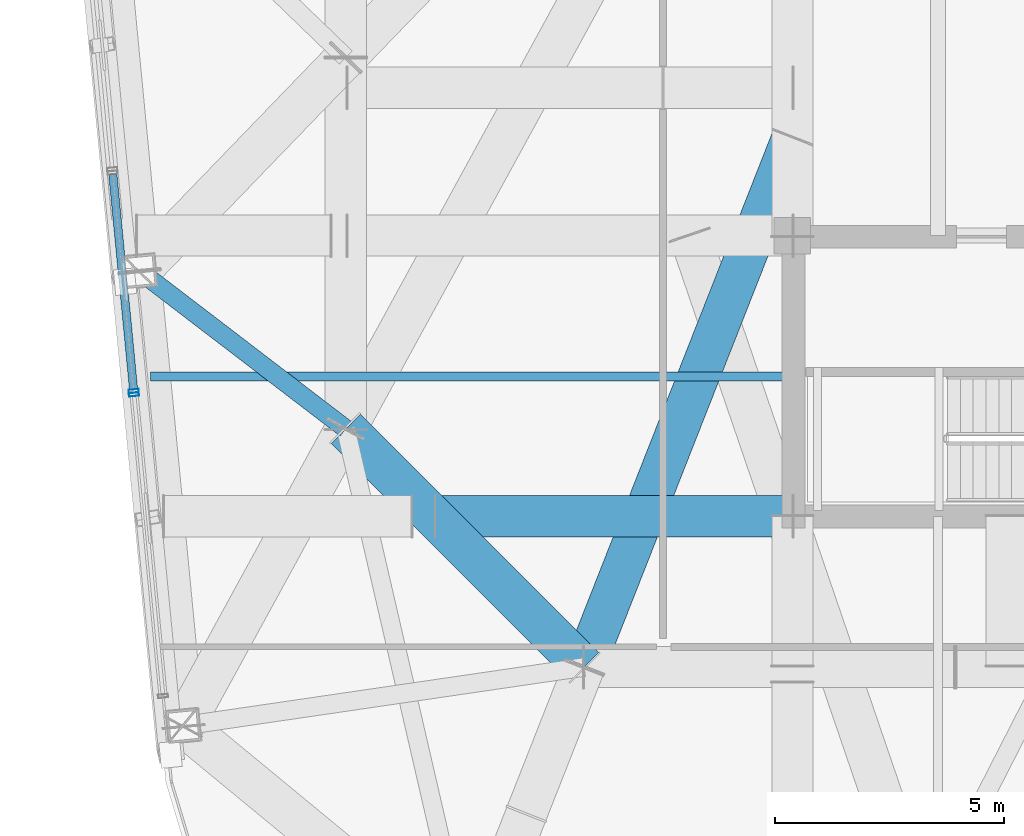
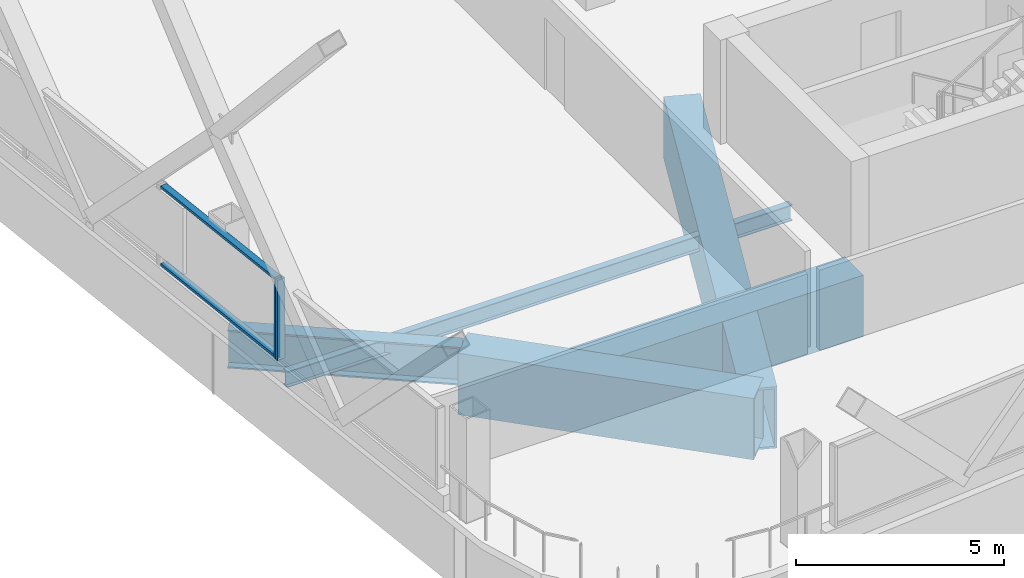
# One storey, part 4 of 37: 5 beams, 4 members, 2 elements without a shape of their own.
"""IFC4 building model written with IfcOpenShell, lengths in metres."""

from ifc_helpers import new_model, si_unit, direction, frame, origin, origin_2d, place, context, subcontext, project, spatial, hollow_rectangle, i_section, extrude, material, layer, layer_set, material_profile, profile_set, type_object, element, aggregate, save


model = new_model("IFC4")

# Units and contexts
model_context = context("Model", 3, precision=1e-05, world=origin(), true_north=direction((0.0, 1.0)))
body_context = subcontext(model_context, "Body", "Model", "MODEL_VIEW")
ifc_project = project(units=[si_unit("LENGTHUNIT", "METRE"), si_unit("AREAUNIT", "SQUARE_METRE"), si_unit("VOLUMEUNIT", "CUBIC_METRE"), si_unit("PLANEANGLEUNIT", "RADIAN"), si_unit("MASSUNIT", "GRAM", prefix="KILO")], contexts=[model_context])

# Site, building, storey
site_placement = place(None, origin())
site = spatial("IfcSite", under=ifc_project, at=site_placement, CompositionType="ELEMENT")
building_placement = place(site_placement, origin())
building = spatial("IfcBuilding", under=site, at=building_placement, Name="Qhalaya Broadcast Tower", CompositionType="ELEMENT")
storey_placement = place(building_placement, frame((0.0, 0.0, 156.14990234375)))
storey = spatial("IfcBuildingStorey", under=building, at=storey_placement, Name="L45", CompositionType="ELEMENT", Elevation=156.14990234375)

# Beams
ifc_material_1 = material(Name="Structural Steel ASTM A572 Grade 50", Category="steel")
ifc_material_profile_1 = material_profile(ifc_material_1, hollow_rectangle(XDim=0.89990234375, YDim=1.800048828125, WallThickness=0.06005859375, at=origin_2d()), Name="BOX 900x1800x60")
ifc_profile_set_1 = profile_set([ifc_material_profile_1], Name="Structural Steel ASTM A572 Grade 50")
beam_type_1 = type_object("IfcBeamType", Name="Block Cantilever Transfer Box Girder TG1", PredefinedType="USERDEFINED", material=ifc_profile_set_1)
beam_1_placement = place(storey_placement, frame((-19.1201171875, -6.840087890625, -1.119873046875), z_axis=(0.707123380132, -0.707090181851, 0.0), x_axis=(0.707090181851, 0.707123380132, 0.0)))
element("IfcBeam", 1, at=beam_1_placement, inside=storey, type_object=beam_type_1, Name="L45 TG1 L45-TGL-16", ObjectType="GIRDER", PredefinedType="USERDEFINED", context=body_context, shape_type="SweptSolid", body=[
    extrude(hollow_rectangle(XDim=0.89990234375, YDim=1.800048828125, WallThickness=0.06005859375, at=origin_2d()), origin(), (0.0, 0.0, 1.0), 7.35400390625),
])
beam_2_placement = place(storey_placement, frame((-17.1533203125, -8.75, -1.119873046875), z_axis=(1.0, 0.0, 0.0), x_axis=(0.0, 1.0, 0.0)))
element("IfcBeam", 2, at=beam_2_placement, inside=storey, type_object=beam_type_1, Name="L45 TG1 L45-TGIY1W-1", ObjectType="GIRDER", PredefinedType="USERDEFINED", context=body_context, shape_type="SweptSolid", body=[
    extrude(hollow_rectangle(XDim=0.89990234375, YDim=1.800048828125, WallThickness=0.06005859375, at=origin_2d()), origin(), (0.0, 0.0, 1.0), 7.7783203125),
])
beam_3_placement = place(storey_placement, frame((-9.375, -0.4921875, -1.119873046875), z_axis=(-0.366229313729, -0.930524631466, 0.0), x_axis=(0.930524631466, -0.366229313729, 0.0)))
element("IfcBeam", 3, at=beam_3_placement, inside=storey, type_object=beam_type_1, Name="L45 Collinear Back-Span Transfer Box Girder 01", ObjectType="GIRDER", PredefinedType="USERDEFINED", context=body_context, shape_type="SweptSolid", body=[
    extrude(hollow_rectangle(XDim=0.89990234375, YDim=1.800048828125, WallThickness=0.06005859375, at=origin_2d()), origin(), (0.0, 0.0, 1.0), 12.41015625),
])
ifc_material_2 = material(Name="Structural Steel ASTM A992 Grade 50", Category="steel")
ifc_material_profile_2 = material_profile(ifc_material_2, i_section(OverallWidth=0.19189453125, OverallDepth=0.462890625, WebThickness=0.010498046875, FlangeThickness=0.017578125, at=origin_2d()), Name="W18X60")
ifc_profile_set_2 = profile_set([ifc_material_profile_2], Name="Structural Steel ASTM A992 Grade 50")
beam_type_2 = type_object("IfcBeamType", Name="Composite Floor Joist J03", PredefinedType="JOIST", material=ifc_profile_set_2)
beam_4_placement = place(storey_placement, frame((-23.375732421875, -5.699951171875, -0.451416015625), z_axis=(1.0, 0.0, 0.0), x_axis=(0.0, 1.0, 0.0)))
element("IfcBeam", 4, at=beam_4_placement, inside=storey, type_object=beam_type_2, Name="L45 J03 L45-JWE3W-1", PredefinedType="JOIST", context=body_context, shape_type="SweptSolid", body=[
    extrude(i_section(OverallWidth=0.19189453125, OverallDepth=0.462890625, WebThickness=0.010498046875, FlangeThickness=0.017578125, at=origin_2d()), origin(), (0.0, 0.0, 1.0), 14.000732421875),
])
ifc_material_profile_3 = material_profile(ifc_material_2, i_section(OverallWidth=0.404052734375, OverallDepth=1.117919921875, WebThickness=0.026123046875, FlangeThickness=0.044921875, at=origin_2d()), Name="W44X335")
ifc_profile_set_3 = profile_set([ifc_material_profile_3], Name="Structural Steel ASTM A992 Grade 50")
beam_type_3 = type_object("IfcBeamType", Name="Podium Long-Span Primary Girder PG1", PredefinedType="USERDEFINED", material=ifc_profile_set_3)
beam_5_placement = place(storey_placement, frame((-19.1201171875, -6.840087890625, -0.77880859375), z_axis=(-0.794230533194, 0.607616540379, 0.0), x_axis=(-0.607616540379, -0.794230533194, 0.0)))
element("IfcBeam", 5, at=beam_5_placement, inside=storey, type_object=beam_type_3, Name="L45 Column-to-Column Moment Tie Girder 15-1", ObjectType="GIRDER", PredefinedType="USERDEFINED", context=body_context, shape_type="SweptSolid", body=[
    extrude(i_section(OverallWidth=0.404052734375, OverallDepth=1.117919921875, WebThickness=0.026123046875, FlangeThickness=0.044921875, at=origin_2d()), origin(), (0.0, 0.0, 1.0), 5.662109375),
])

# Curtain wall, member
ifc_material_3 = material(Name="Solar-Control Low-E Triple Glazing", Category="glass")
ifc_layer_1 = layer(ifc_material_3, 0.219970703125, Name="Solar-Control Low-E Triple Glazing")
ifc_layer_set_1 = layer_set([ifc_layer_1], Name="Solar-Control Low-E Triple Glazing")
curtain_wall_type_1 = type_object("IfcCurtainWallType", Name="Even-Block 4-Storey Double-Module Curtain Wall CW-03", PredefinedType="NOTDEFINED", material=ifc_layer_set_1)
curtain_wall_1_placement = place(storey_placement, origin())
curtain_wall_1 = element("IfcCurtainWall", 6, at=curtain_wall_1_placement, inside=storey, type_object=curtain_wall_type_1, Name="L45 Unitised Curtain Wall L45-CW-W4", PredefinedType="NOTDEFINED")
ifc_material_4 = material(Name="Anodised Aluminium 6063-T6", Category="aluminium")
ifc_material_profile_4 = material_profile(ifc_material_4, hollow_rectangle(XDim=0.074951171875, YDim=0.219970703125, WallThickness=0.00390625, at=origin_2d()), Name="ALU-MUL 75x220x4")
ifc_profile_set_4 = profile_set([ifc_material_profile_4], Name="Anodised Aluminium 6063-T6")
member_type_1 = type_object("IfcMemberType", Name="Unitised Curtain-Wall Mullion M01", PredefinedType="MULLION", material=ifc_profile_set_4)
member_1_placement = place(storey_placement, frame((-23.7470703125, -6.017333984375, 0.47998046875), z_axis=(0.0, 0.0, 1.0), x_axis=(0.095844898762, -0.995396280574, 0.0)))
member_1 = element("IfcMember", 7, at=member_1_placement, type_object=member_type_1, Name="CW-03 mullion 2", PredefinedType="MULLION", context=body_context, shape_type="SweptSolid", body=[
    extrude(hollow_rectangle(XDim=0.074951171875, YDim=0.219970703125, WallThickness=0.00390625, at=origin_2d()), origin(), (0.0, 0.0, 1.0), 2.35009765625),
])

ifc_material_5 = material(Name="Fired Architectural Terracotta", Category="masonry")
ifc_layer_2 = layer(ifc_material_5, 0.219970703125, Name="Fired Architectural Terracotta")
ifc_layer_set_2 = layer_set([ifc_layer_2], Name="Fired Architectural Terracotta")
curtain_wall_type_2 = type_object("IfcCurtainWallType", Name="Block-Cap Unitised Terracotta Spandrel Wall CW-07", PredefinedType="NOTDEFINED", material=ifc_layer_set_2)
curtain_wall_2_placement = place(storey_placement, origin())
curtain_wall_2 = element("IfcCurtainWall", 8, at=curtain_wall_2_placement, inside=storey, type_object=curtain_wall_type_2, Name="L45 Unitised Curtain Wall L45-CW-W5", PredefinedType="NOTDEFINED")
member_2_placement = place(storey_placement, frame((-23.73974609375, -6.092041015625, 0.47998046875), z_axis=(0.0, 0.0, 1.0), x_axis=(0.095842362816, -0.995396524753, 0.0)))
member_2 = element("IfcMember", 9, at=member_2_placement, type_object=member_type_1, Name="CW-07 mullion 1", PredefinedType="MULLION", context=body_context, shape_type="SweptSolid", body=[
    extrude(hollow_rectangle(XDim=0.074951171875, YDim=0.219970703125, WallThickness=0.00390625, at=origin_2d()), origin(), (0.0, 0.0, 1.0), 2.35009765625),
])
aggregate(curtain_wall_2, [member_2])

# Member
ifc_material_profile_5 = material_profile(ifc_material_4, hollow_rectangle(XDim=0.074951171875, YDim=0.179931640625, WallThickness=0.00390625, at=origin_2d()), Name="ALU-TRN 75x180x4")
ifc_profile_set_5 = profile_set([ifc_material_profile_5], Name="Anodised Aluminium 6063-T6")
member_type_2 = type_object("IfcMemberType", Name="Unitised Curtain-Wall Transom T01", PredefinedType="USERDEFINED", material=ifc_profile_set_5)
member_3_placement = place(storey_placement, frame((-24.2021484375, -1.290771484375, 0.517578125), z_axis=(0.095875342075, -0.995393348773, 0.0), x_axis=(0.0, 0.0, 1.0)))
member_3 = element("IfcMember", 10, at=member_3_placement, type_object=member_type_2, Name="CW-03 transom 1.1", ObjectType="TRANSOM", PredefinedType="USERDEFINED", context=body_context, shape_type="SweptSolid", body=[
    extrude(hollow_rectangle(XDim=0.074951171875, YDim=0.179931640625, WallThickness=0.00390625, at=origin_2d()), origin(), (0.0, 0.0, 1.0), 4.7109375),
])

member_4_placement = place(storey_placement, frame((-24.2021484375, -1.290771484375, 2.79248046875), z_axis=(0.095875342075, -0.995393348773, 0.0), x_axis=(0.0, 0.0, 1.0)))
member_4 = element("IfcMember", 11, at=member_4_placement, type_object=member_type_2, Name="CW-03 transom 1.2", ObjectType="TRANSOM", PredefinedType="USERDEFINED", context=body_context, shape_type="SweptSolid", body=[
    extrude(hollow_rectangle(XDim=0.074951171875, YDim=0.179931640625, WallThickness=0.00390625, at=origin_2d()), origin(), (0.0, 0.0, 1.0), 4.7109375),
])

aggregate(curtain_wall_1, [member_1, member_3, member_4])

save(model, "model.ifc")
